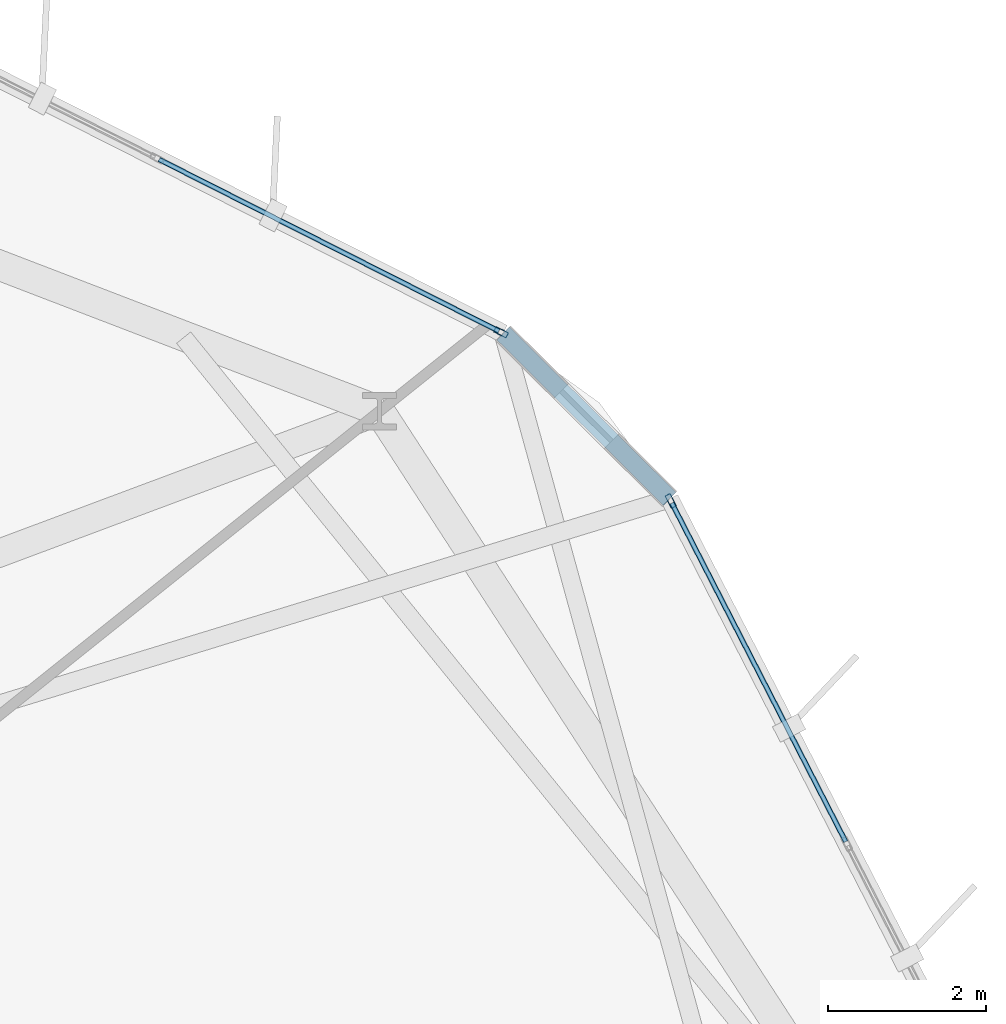
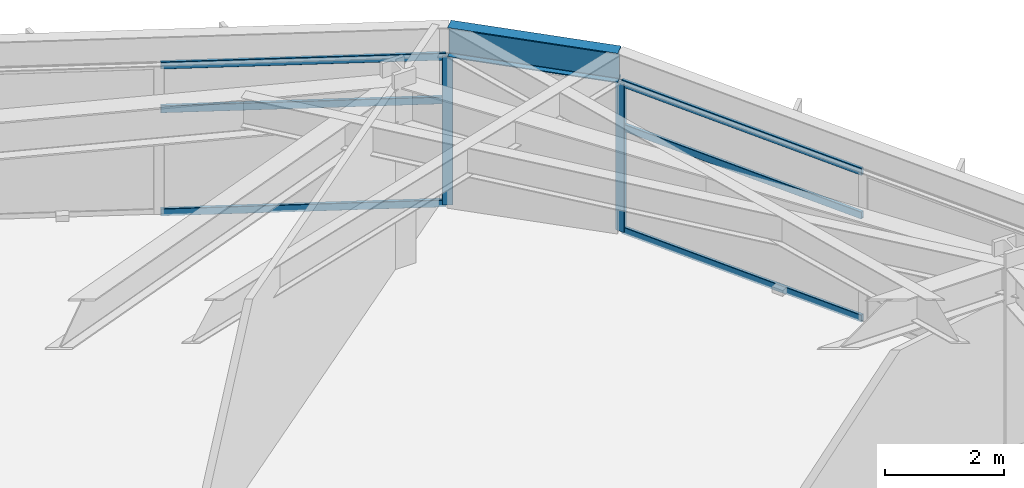
# One storey, part 16 of 23: 8 members, 1 beam, 2 elements without a shape of their own.
"""IFC4 building model written with IfcOpenShell, lengths in metres."""

from ifc_helpers import new_model, si_unit, direction, frame, origin, origin_2d, place, context, subcontext, project, spatial, hollow_rectangle, i_section, extrude, material, layer, layer_set, material_profile, profile_set, type_object, element, aggregate, save


model = new_model("IFC4")

# Units and contexts
model_context = context("Model", 3, precision=1e-05, world=origin(), true_north=direction((0.0, 1.0)))
body_context = subcontext(model_context, "Body", "Model", "MODEL_VIEW")
ifc_project = project(units=[si_unit("LENGTHUNIT", "METRE"), si_unit("AREAUNIT", "SQUARE_METRE"), si_unit("VOLUMEUNIT", "CUBIC_METRE"), si_unit("PLANEANGLEUNIT", "RADIAN"), si_unit("MASSUNIT", "GRAM", prefix="KILO")], contexts=[model_context])

# Site, building, storey
site_placement = place(None, origin())
site = spatial("IfcSite", under=ifc_project, at=site_placement, CompositionType="ELEMENT")
building_placement = place(site_placement, origin())
building = spatial("IfcBuilding", under=site, at=building_placement, Name="Soratama Intermodal Tower", CompositionType="ELEMENT")
storey_placement = place(building_placement, frame((0.0, 0.0, 62.60009765625)))
storey = spatial("IfcBuildingStorey", under=building, at=storey_placement, Name="L14", CompositionType="ELEMENT", Elevation=62.60009765625)

# Beam
ifc_material_1 = material(Name="Structural steel ASTM A992 Grade 50", Category="steel")
ifc_material_profile_1 = material_profile(ifc_material_1, i_section(OverallWidth=0.22900390625, OverallDepth=0.612060546875, WebThickness=0.011962890625, FlangeThickness=0.01953125, FilletRadius=0.012939453125, at=origin_2d()), Name="W24X84")
ifc_profile_set_1 = profile_set([ifc_material_profile_1], Name="Structural steel ASTM A992 Grade 50")
beam_type = type_object("IfcBeamType", Name="BM-SPN-W24X84", PredefinedType="SPANDREL", material=ifc_profile_set_1)
beam_placement = place(storey_placement, frame((60.447021484375, 38.43994140625, 3.393798828125), z_axis=(-0.709284438419, 0.704922396734, 0.0), x_axis=(-0.704922396734, -0.709284438419, 0.0)))
element("IfcBeam", 1, at=beam_placement, inside=storey, type_object=beam_type, Name="BS-L14-CRN01", PredefinedType="SPANDREL", context=body_context, shape_type="SweptSolid", body=[
    extrude(i_section(OverallWidth=0.22900390625, OverallDepth=0.612060546875, WebThickness=0.011962890625, FlangeThickness=0.01953125, FilletRadius=0.012939453125, at=origin_2d()), origin(), (0.0, 0.0, 1.0), 2.96630859375),
])

# Curtain wall, member
ifc_material_2 = material(Name="Double-glazed aluminium curtain wall", Category="aluminium")
ifc_layer = layer(ifc_material_2, 0.159912109375)
ifc_layer_set = layer_set([ifc_layer], Name="Double-glazed aluminium curtain wall")
curtain_wall_type = type_object("IfcCurtainWallType", Name="CW-SYS-2", PredefinedType="NOTDEFINED", material=ifc_layer_set)
curtain_wall_1_placement = place(storey_placement, origin())
curtain_wall_1 = element("IfcCurtainWall", 2, at=curtain_wall_1_placement, inside=storey, type_object=curtain_wall_type, Name="L14 Faceted Curtain Wall F01", PredefinedType="NOTDEFINED")
ifc_material_3 = material(Name="Anodised aluminium AA 6063-T6", Category="aluminium")
ifc_material_profile_2 = material_profile(ifc_material_3, hollow_rectangle(XDim=0.074951171875, YDim=0.179931640625, WallThickness=0.006103515625, InnerFilletRadius=0.006103515625, OuterFilletRadius=0.011962890625, at=origin_2d()), Name="CWM180X75X6")
ifc_profile_set_2 = profile_set([ifc_material_profile_2], Name="Anodised aluminium AA 6063-T6")
member_type_1 = type_object("IfcMemberType", Name="MT-CWM-2", PredefinedType="MULLION", material=ifc_profile_set_2)
member_1_placement = place(storey_placement, frame((60.460693359375, 38.413330078125, 0.0), z_axis=(0.0, 0.0, 1.0), x_axis=(-0.889575647258, -0.456787880537, 0.0)))
member_1 = element("IfcMember", 3, at=member_1_placement, type_object=member_type_1, Name="CW-2 mullion 3", PredefinedType="MULLION", context=body_context, shape_type="SweptSolid", body=[
    extrude(hollow_rectangle(XDim=0.074951171875, YDim=0.179931640625, WallThickness=0.006103515625, InnerFilletRadius=0.006103515625, OuterFilletRadius=0.011962890625, at=origin_2d()), origin(), (0.0, 0.0, 1.0), 3.078857421875),
])

curtain_wall_2_placement = place(storey_placement, origin())
curtain_wall_2 = element("IfcCurtainWall", 4, at=curtain_wall_2_placement, inside=storey, type_object=curtain_wall_type, Name="L14 Faceted Curtain Wall F02", PredefinedType="NOTDEFINED")
member_2_placement = place(storey_placement, frame((58.31591796875, 40.544677734375, 0.0), z_axis=(0.0, 0.0, 1.0), x_axis=(-0.451184697135, -0.892430596221, 0.0)))
member_2 = element("IfcMember", 5, at=member_2_placement, type_object=member_type_1, Name="CW-2 mullion 1", PredefinedType="MULLION", context=body_context, shape_type="SweptSolid", body=[
    extrude(hollow_rectangle(XDim=0.074951171875, YDim=0.179931640625, WallThickness=0.006103515625, InnerFilletRadius=0.006103515625, OuterFilletRadius=0.011962890625, at=origin_2d()), origin(), (0.0, 0.0, 1.0), 3.078857421875),
])

# Member
ifc_material_4 = material(Name="Anodised aluminium AA 6063-T6", Category="aluminium")
ifc_material_profile_3 = material_profile(ifc_material_4, hollow_rectangle(XDim=0.06494140625, YDim=0.14990234375, WallThickness=0.0048828125, InnerFilletRadius=0.0048828125, OuterFilletRadius=0.010009765625, at=origin_2d()), Name="CWT150X65X5")
ifc_profile_set_3 = profile_set([ifc_material_profile_3], Name="Anodised aluminium AA 6063-T6")
member_type_2 = type_object("IfcMemberType", Name="TT-CWT-1", PredefinedType="USERDEFINED", material=ifc_profile_set_3)
member_3_placement = place(storey_placement, frame((62.671630859375, 34.10791015625, 0.02978515625), z_axis=(-0.456771031834, 0.889584298691, 0.0), x_axis=(-0.889584298691, -0.456771031834, 0.0)))
member_3 = element("IfcMember", 6, at=member_3_placement, type_object=member_type_2, Name="CW-2 transom 2.1", ObjectType="TRANSOM", PredefinedType="USERDEFINED", context=body_context, shape_type="SweptSolid", body=[
    extrude(hollow_rectangle(XDim=0.06494140625, YDim=0.14990234375, WallThickness=0.0048828125, InnerFilletRadius=0.0048828125, OuterFilletRadius=0.010009765625, at=origin_2d()), origin(), (0.0, 0.0, 1.0), 4.809814453125),
])

member_4_placement = place(storey_placement, frame((62.671630859375, 34.10791015625, 2.14990234375), z_axis=(-0.456771031834, 0.889584298691, 0.0), x_axis=(-0.889584298691, -0.456771031834, 0.0)))
member_4 = element("IfcMember", 7, at=member_4_placement, type_object=member_type_2, Name="CW-2 transom 2.2", ObjectType="TRANSOM", PredefinedType="USERDEFINED", context=body_context, shape_type="SweptSolid", body=[
    extrude(hollow_rectangle(XDim=0.06494140625, YDim=0.14990234375, WallThickness=0.0048828125, InnerFilletRadius=0.0048828125, OuterFilletRadius=0.010009765625, at=origin_2d()), origin(), (0.0, 0.0, 1.0), 4.809814453125),
])

member_5_placement = place(storey_placement, frame((62.671630859375, 34.10791015625, 3.048828125), z_axis=(-0.456771031834, 0.889584298691, 0.0), x_axis=(-0.889584298691, -0.456771031834, 0.0)))
member_5 = element("IfcMember", 8, at=member_5_placement, type_object=member_type_2, Name="CW-2 transom 2.3", ObjectType="TRANSOM", PredefinedType="USERDEFINED", context=body_context, shape_type="SweptSolid", body=[
    extrude(hollow_rectangle(XDim=0.06494140625, YDim=0.14990234375, WallThickness=0.0048828125, InnerFilletRadius=0.0048828125, OuterFilletRadius=0.010009765625, at=origin_2d()), origin(), (0.0, 0.0, 1.0), 4.809814453125),
])

aggregate(curtain_wall_1, [member_1, member_3, member_4, member_5])

member_6_placement = place(storey_placement, frame((58.289306640625, 40.558349609375, 0.02978515625), z_axis=(-0.892438953735, 0.451168165828, 0.0), x_axis=(-0.451168165828, -0.892438953735, 0.0)))
member_6 = element("IfcMember", 9, at=member_6_placement, type_object=member_type_2, Name="CW-2 transom 1.1", ObjectType="TRANSOM", PredefinedType="USERDEFINED", context=body_context, shape_type="SweptSolid", body=[
    extrude(hollow_rectangle(XDim=0.06494140625, YDim=0.14990234375, WallThickness=0.0048828125, InnerFilletRadius=0.0048828125, OuterFilletRadius=0.010009765625, at=origin_2d()), origin(), (0.0, 0.0, 1.0), 4.81005859375),
])

member_7_placement = place(storey_placement, frame((58.289306640625, 40.558349609375, 2.14990234375), z_axis=(-0.892438953735, 0.451168165828, 0.0), x_axis=(-0.451168165828, -0.892438953735, 0.0)))
member_7 = element("IfcMember", 10, at=member_7_placement, type_object=member_type_2, Name="CW-2 transom 1.2", ObjectType="TRANSOM", PredefinedType="USERDEFINED", context=body_context, shape_type="SweptSolid", body=[
    extrude(hollow_rectangle(XDim=0.06494140625, YDim=0.14990234375, WallThickness=0.0048828125, InnerFilletRadius=0.0048828125, OuterFilletRadius=0.010009765625, at=origin_2d()), origin(), (0.0, 0.0, 1.0), 4.81005859375),
])

member_8_placement = place(storey_placement, frame((58.289306640625, 40.558349609375, 3.048828125), z_axis=(-0.892438953735, 0.451168165828, 0.0), x_axis=(-0.451168165828, -0.892438953735, 0.0)))
member_8 = element("IfcMember", 11, at=member_8_placement, type_object=member_type_2, Name="CW-2 transom 1.3", ObjectType="TRANSOM", PredefinedType="USERDEFINED", context=body_context, shape_type="SweptSolid", body=[
    extrude(hollow_rectangle(XDim=0.06494140625, YDim=0.14990234375, WallThickness=0.0048828125, InnerFilletRadius=0.0048828125, OuterFilletRadius=0.010009765625, at=origin_2d()), origin(), (0.0, 0.0, 1.0), 4.81005859375),
])

aggregate(curtain_wall_2, [member_2, member_6, member_7, member_8])

save(model, "model.ifc")
